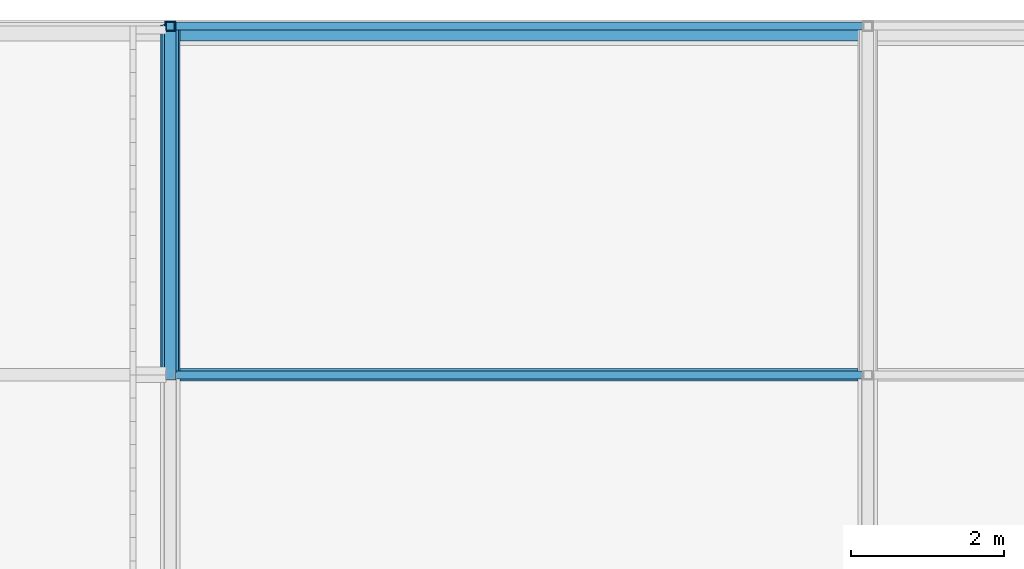
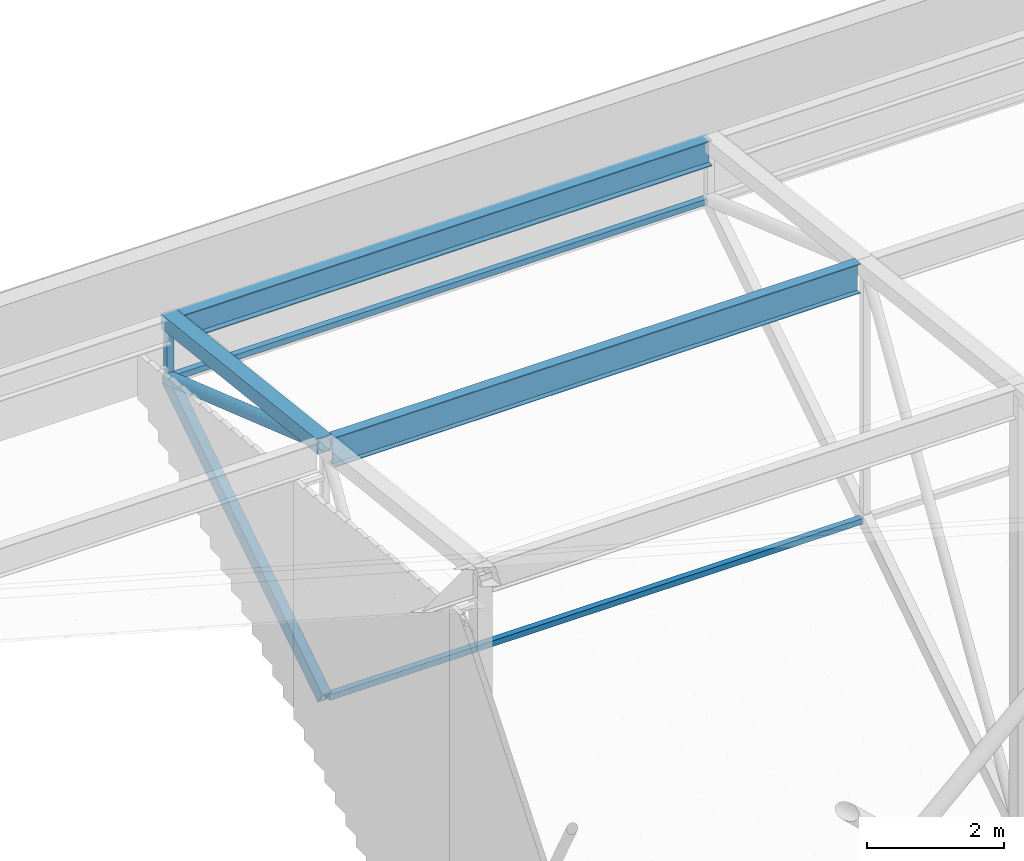
# One storey, part 230 of 500: 8 members.
"""IFC4 building model written with IfcOpenShell, lengths in metres."""

from ifc_helpers import new_model, si_unit, direction, frame, origin, origin_2d, place, context, subcontext, project, spatial, hollow_rectangle, hollow_circle, i_section, extrude, material, material_profile, profile_set, type_object, element, save


model = new_model("IFC4")

# Units and contexts
model_context = context("Model", 3, precision=1e-05, world=origin(), true_north=direction((0.0, 1.0)))
body_context = subcontext(model_context, "Body", "Model", "MODEL_VIEW")
ifc_project = project(units=[si_unit("LENGTHUNIT", "METRE"), si_unit("AREAUNIT", "SQUARE_METRE"), si_unit("VOLUMEUNIT", "CUBIC_METRE"), si_unit("PLANEANGLEUNIT", "RADIAN"), si_unit("MASSUNIT", "GRAM", prefix="KILO")], contexts=[model_context])

# Site, building, storey
site_placement = place(None, origin())
site = spatial("IfcSite", under=ifc_project, at=site_placement, CompositionType="ELEMENT")
building_placement = place(site_placement, origin())
building = spatial("IfcBuilding", under=site, at=building_placement, Name="Shirokan Park Arena", CompositionType="ELEMENT")
storey_placement = place(building_placement, frame((0.0, 0.0, 29.1201171875)))
storey = spatial("IfcBuildingStorey", under=building, at=storey_placement, Name="L06", CompositionType="ELEMENT", Elevation=29.1201171875)

# Members
ifc_material_1 = material(Name="Steel ASTM A500 Grade C", Category="steel")
ifc_material_profile_1 = material_profile(ifc_material_1, hollow_rectangle(XDim=0.152099609375, YDim=0.25390625, WallThickness=0.009521484375, at=origin_2d()), Name="HSS254X152.4X9.5")
ifc_profile_set_1 = profile_set([ifc_material_profile_1], Name="Steel ASTM A500 Grade C")
member_type_1 = type_object("IfcMemberType", Name="Bottom chord HSS254X152.4X9.5", PredefinedType="CHORD", material=ifc_profile_set_1)
member_1_placement = place(storey_placement, frame((0.0, 113.75, 7.6044921875), z_axis=(0.0, 0.840971691661, 0.541079119746), x_axis=(-1.0, 0.0, 0.0)))
element("IfcMember", 1, at=member_1_placement, inside=storey, type_object=member_type_1, Name="Truss T01 bottom chord 28", PredefinedType="CHORD", context=body_context, shape_type="SweptSolid", body=[
    extrude(hollow_rectangle(XDim=0.152099609375, YDim=0.25390625, WallThickness=0.009521484375, at=origin_2d()), origin(), (0.0, 0.0, 1.0), 5.410400390625),
])
ifc_material_profile_2 = material_profile(ifc_material_1, hollow_rectangle(XDim=0.10205078125, YDim=0.10205078125, WallThickness=0.00634765625, at=origin_2d()), Name="HSS101.6X101.6X6.4")
ifc_profile_set_2 = profile_set([ifc_material_profile_2], Name="Steel ASTM A500 Grade C")
member_type_2 = type_object("IfcMemberType", Name="Eave soffit rail HSS101.6X101.6X6.4", PredefinedType="USERDEFINED", material=ifc_profile_set_2)
for number, where, z_axis, x_axis, name in (
    (2, (0.056884765625, 118.300048828125, 10.531982421875), (1.0, 0.0, 0.0), (0.0, 1.0, 0.0), "Eave soffit rail N 29 bay 1"),
    (3, (0.056884765625, 113.75, 7.6044921875), (1.0, 0.0, 0.0), (0.0, 1.0, 0.0), "Eave soffit rail N 28 bay 1"),
):
    element("IfcMember", number, at=place(storey_placement, frame(where, z_axis=z_axis, x_axis=x_axis)), inside=storey, type_object=member_type_2, Name=name, ObjectType="EAVE SOFFIT RAIL", PredefinedType="USERDEFINED", context=body_context, shape_type="SweptSolid", body=[
        extrude(hollow_rectangle(XDim=0.10205078125, YDim=0.10205078125, WallThickness=0.00634765625, at=origin_2d()), origin(), (0.0, 0.0, 1.0), 8.986083984375),
    ])
ifc_material_2 = material(Name="Steel ASTM A992", Category="steel")
ifc_material_profile_3 = material_profile(ifc_material_2, i_section(OverallWidth=0.166015625, OverallDepth=0.528076171875, WebThickness=0.009765625, FlangeThickness=0.013671875, at=origin_2d()), Name="W530X74")
ifc_profile_set_3 = profile_set([ifc_material_profile_3], Name="Steel ASTM A992")
member_type_3 = type_object("IfcMemberType", Name="Purlin W530X74", PredefinedType="PURLIN", material=ifc_profile_set_3)
member_2_placement = place(storey_placement, frame((0.126953125, 113.75, 11.9658203125), z_axis=(1.0, 0.0, 0.0), x_axis=(0.0, 1.0, 0.0)))
element("IfcMember", 4, at=member_2_placement, inside=storey, type_object=member_type_3, Name="Purlin 28 bay 1", PredefinedType="PURLIN", context=body_context, shape_type="SweptSolid", body=[
    extrude(i_section(OverallWidth=0.166015625, OverallDepth=0.528076171875, WebThickness=0.009765625, FlangeThickness=0.013671875, at=origin_2d()), origin(), (0.0, 0.0, 1.0), 8.845947265625),
])
ifc_material_profile_4 = material_profile(ifc_material_2, i_section(OverallWidth=0.19091796875, OverallDepth=0.45703125, WebThickness=0.009033203125, FlangeThickness=0.014404296875, at=origin_2d()), Name="W460X74")
ifc_profile_set_4 = profile_set([ifc_material_profile_4], Name="Steel ASTM A992")
member_type_4 = type_object("IfcMemberType", Name="Roof edge beam W460X74", PredefinedType="USERDEFINED", material=ifc_profile_set_4)
member_3_placement = place(storey_placement, frame((0.056884765625, 118.20458984375, 11.4814453125), z_axis=(1.0, 0.0, 0.0), x_axis=(0.0, 1.0, 0.0)))
element("IfcMember", 5, at=member_3_placement, inside=storey, type_object=member_type_4, Name="Roof edge beam N 2", ObjectType="ROOF EDGE BEAM", PredefinedType="USERDEFINED", context=body_context, shape_type="SweptSolid", body=[
    extrude(i_section(OverallWidth=0.19091796875, OverallDepth=0.45703125, WebThickness=0.009033203125, FlangeThickness=0.014404296875, at=origin_2d()), origin(), (0.0, 0.0, 1.0), 8.986083984375),
])
ifc_material_profile_5 = material_profile(ifc_material_1, hollow_rectangle(XDim=0.25390625, YDim=0.25390625, WallThickness=0.009521484375, at=origin_2d()), Name="HSS254X254X9.5")
ifc_profile_set_5 = profile_set([ifc_material_profile_5], Name="Steel ASTM A500 Grade C")
member_type_5 = type_object("IfcMemberType", Name="Top chord HSS254X254X9.5", PredefinedType="CHORD", material=ifc_profile_set_5)
member_4_placement = place(storey_placement, frame((0.0, 113.75, 12.102783203125), z_axis=(0.0, 0.993532328996, -0.113549598152), x_axis=(-1.0, 0.0, 0.0)))
element("IfcMember", 6, at=member_4_placement, inside=storey, type_object=member_type_5, Name="Truss T01 top chord 28", PredefinedType="CHORD", context=body_context, shape_type="SweptSolid", body=[
    extrude(hollow_rectangle(XDim=0.25390625, YDim=0.25390625, WallThickness=0.009521484375, at=origin_2d()), origin(), (0.0, 0.0, 1.0), 4.57958984375),
])
ifc_material_profile_6 = material_profile(ifc_material_1, hollow_circle(Radius=0.109619140625, WallThickness=0.009521484375, at=origin_2d()), Name="HSS219.1X9.5")
ifc_profile_set_6 = profile_set([ifc_material_profile_6], Name="Steel ASTM A500 Grade C")
member_type_6 = type_object("IfcMemberType", Name="Truss diagonal HSS219.1X9.5", PredefinedType="BRACE", material=ifc_profile_set_6)
member_5_placement = place(storey_placement, frame((0.0, 113.75, 12.102783203125), z_axis=(0.0, 0.945256498603, -0.326328288459), x_axis=(-1.0, 0.0, 0.0)))
element("IfcMember", 7, at=member_5_placement, inside=storey, type_object=member_type_6, Name="Truss T01 diagonal 28", PredefinedType="BRACE", context=body_context, shape_type="SweptSolid", body=[
    extrude(hollow_circle(Radius=0.109619140625, WallThickness=0.009521484375, at=origin_2d()), origin(), (0.0, 0.0, 1.0), 4.8134765625),
])
ifc_material_profile_7 = material_profile(ifc_material_1, hollow_rectangle(XDim=0.114013671875, YDim=0.114013671875, WallThickness=0.00634765625, at=origin_2d()), Name="HSS114.3X114.3X6.4")
ifc_profile_set_7 = profile_set([ifc_material_profile_7], Name="Steel ASTM A500 Grade C")
member_type_7 = type_object("IfcMemberType", Name="Truss post HSS114.3X114.3X6.4", PredefinedType="POST", material=ifc_profile_set_7)
member_6_placement = place(storey_placement, frame((0.0, 118.300048828125, 10.531982421875), z_axis=(0.0, 0.0, 1.0), x_axis=(1.0, 0.0, 0.0)))
element("IfcMember", 8, at=member_6_placement, inside=storey, type_object=member_type_7, Name="Truss T01 post 29", PredefinedType="POST", context=body_context, shape_type="SweptSolid", body=[
    extrude(hollow_rectangle(XDim=0.114013671875, YDim=0.114013671875, WallThickness=0.00634765625, at=origin_2d()), origin(), (0.0, 0.0, 1.0), 1.05078125),
])

save(model, "model.ifc")
